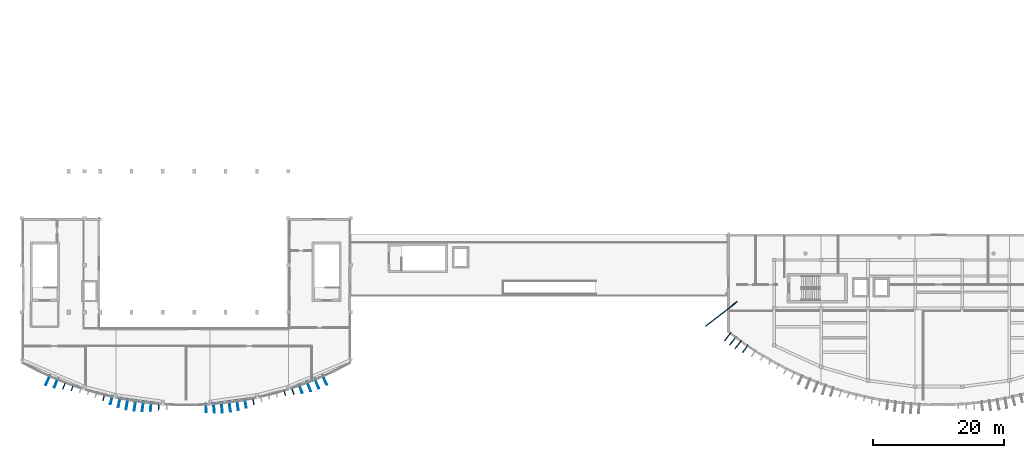
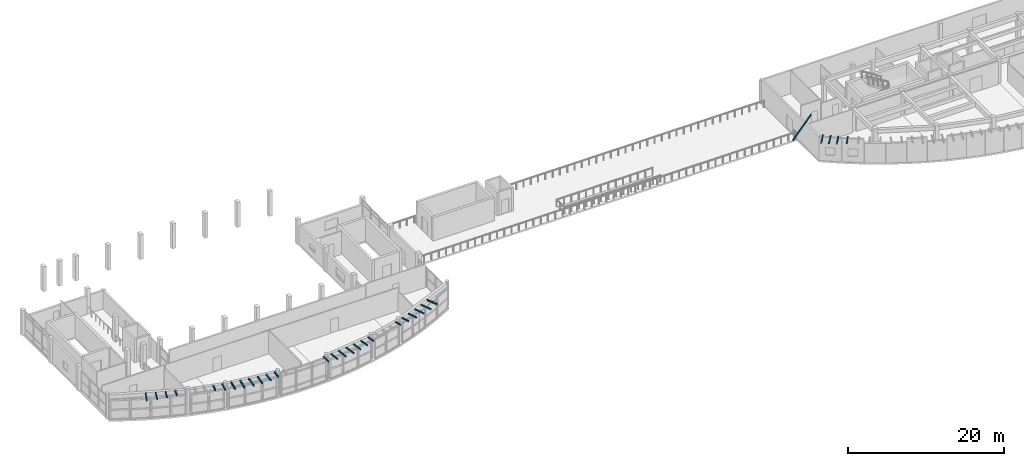
# One storey, part 25 of 32: 30 discrete accessories.
"""IFC4 building model written with IfcOpenShell, lengths in metres."""

from ifc_helpers import new_model, si_unit, direction, frame, origin, origin_2d, place, context, subcontext, project, spatial, rectangle, extrude, material, type_object, element, save


model = new_model("IFC4")

# Units and contexts
model_context = context("Model", 3, precision=1e-05, world=origin(), true_north=direction((0.0, 1.0)))
body_context = subcontext(model_context, "Body", "Model", "MODEL_VIEW")
ifc_project = project(units=[si_unit("LENGTHUNIT", "METRE"), si_unit("AREAUNIT", "SQUARE_METRE"), si_unit("VOLUMEUNIT", "CUBIC_METRE"), si_unit("PLANEANGLEUNIT", "RADIAN"), si_unit("MASSUNIT", "GRAM", prefix="KILO")], contexts=[model_context])

# Site, building, storey
site_placement = place(None, origin())
site = spatial("IfcSite", under=ifc_project, at=site_placement, CompositionType="ELEMENT")
building_placement = place(site_placement, origin())
building = spatial("IfcBuilding", under=site, at=building_placement, Name="Brisavento Harbour Community Centre", CompositionType="ELEMENT")
storey_placement = place(building_placement, frame((0.0, 0.0, 12.89990234375)))
storey = spatial("IfcBuildingStorey", under=building, at=storey_placement, Name="L03", CompositionType="ELEMENT", Elevation=12.89990234375)

# Discrete accessories
ifc_material = material(Name="Stainless steel 1.4401", Category="steel")
discrete_accessory_type = type_object("IfcDiscreteAccessoryType", Name="BRK-FIN-SS", PredefinedType="BRACKET", material=ifc_material)
discrete_accessory_1_placement = place(storey_placement, frame((3.99560546875, 3.99560546875, 3.68017578125), z_axis=(0.0, 0.0, 1.0), x_axis=(-0.415518926407, -0.909584532519, 0.0)))
element("IfcDiscreteAccessory", 1, at=discrete_accessory_1_placement, inside=storey, type_object=discrete_accessory_type, Name="Stainless-steel storm-fin bracket 004.5", PredefinedType="BRACKET", context=body_context, shape_type="SweptSolid", body=[
    extrude(rectangle(XDim=1.583251953125, YDim=0.139892578125, at=origin_2d()), origin(), (0.0, 0.0, 1.0), 0.199951171875),
])
discrete_accessory_2_placement = place(storey_placement, frame((5.248779296875, 3.549560546875, 3.68017578125), z_axis=(0.0, 0.0, 1.0), x_axis=(-0.369341311525, -0.92929381554, 0.0)))
element("IfcDiscreteAccessory", 2, at=discrete_accessory_2_placement, inside=storey, type_object=discrete_accessory_type, Name="Stainless-steel storm-fin bracket 005.5", PredefinedType="BRACKET", context=body_context, shape_type="SweptSolid", body=[
    extrude(rectangle(XDim=1.419189453125, YDim=0.139892578125, at=origin_2d()), origin(), (0.0, 0.0, 1.0), 0.199951171875),
])
discrete_accessory_3_placement = place(storey_placement, frame((6.490966796875, 3.17919921875, 3.68017578125), z_axis=(0.0, 0.0, 1.0), x_axis=(-0.369341311525, -0.92929381554, 0.0)))
element("IfcDiscreteAccessory", 3, at=discrete_accessory_3_placement, inside=storey, type_object=discrete_accessory_type, Name="Stainless-steel storm-fin bracket 006.5", PredefinedType="BRACKET", context=body_context, shape_type="SweptSolid", body=[
    extrude(rectangle(XDim=1.18994140625, YDim=0.139892578125, at=origin_2d()), origin(), (0.0, 0.0, 1.0), 0.199951171875),
])
discrete_accessory_4_placement = place(storey_placement, frame((7.74072265625, 2.836181640625, 3.68017578125), z_axis=(0.0, 0.0, 1.0), x_axis=(-0.323174264667, -0.94633947115, 0.0)))
element("IfcDiscreteAccessory", 4, at=discrete_accessory_4_placement, inside=storey, type_object=discrete_accessory_type, Name="Stainless-steel storm-fin bracket 007.5", PredefinedType="BRACKET", context=body_context, shape_type="SweptSolid", body=[
    extrude(rectangle(XDim=0.96728515625, YDim=0.139892578125, at=origin_2d()), origin(), (0.0, 0.0, 1.0), 0.199951171875),
])
discrete_accessory_5_placement = place(storey_placement, frame((12.54736328125, 1.339111328125, 3.68017578125), z_axis=(0.0, 0.0, 1.0), x_axis=(-0.230830981037, -0.972993863389, 0.0)))
element("IfcDiscreteAccessory", 5, at=discrete_accessory_5_placement, inside=storey, type_object=discrete_accessory_type, Name="Stainless-steel storm-fin bracket 011.5", PredefinedType="BRACKET", context=body_context, shape_type="SweptSolid", body=[
    extrude(rectangle(XDim=1.0556640625, YDim=0.139892578125, at=origin_2d()), origin(), (0.0, 0.0, 1.0), 0.199951171875),
])
discrete_accessory_6_placement = place(storey_placement, frame((13.721435546875, 0.945068359375, 3.68017578125), z_axis=(0.0, 0.0, 1.0), x_axis=(-0.230830981037, -0.972993863389, 0.0)))
element("IfcDiscreteAccessory", 6, at=discrete_accessory_6_placement, inside=storey, type_object=discrete_accessory_type, Name="Stainless-steel storm-fin bracket 012.5", PredefinedType="BRACKET", context=body_context, shape_type="SweptSolid", body=[
    extrude(rectangle(XDim=1.28076171875, YDim=0.139892578125, at=origin_2d()), origin(), (0.0, 0.0, 1.0), 0.199951171875),
])
discrete_accessory_7_placement = place(storey_placement, frame((14.91845703125, 0.5869140625, 3.68017578125), z_axis=(0.0, 0.0, 1.0), x_axis=(-0.184671830369, -0.982800241691, 0.0)))
element("IfcDiscreteAccessory", 7, at=discrete_accessory_7_placement, inside=storey, type_object=discrete_accessory_type, Name="Stainless-steel storm-fin bracket 013.5", PredefinedType="BRACKET", context=body_context, shape_type="SweptSolid", body=[
    extrude(rectangle(XDim=1.4833984375, YDim=0.139892578125, at=origin_2d()), origin(), (0.0, 0.0, 1.0), 0.199951171875),
])
discrete_accessory_8_placement = place(storey_placement, frame((16.10693359375, 0.30029296875, 3.68017578125), z_axis=(0.0, 0.0, 1.0), x_axis=(-0.184671830369, -0.982800241691, 0.0)))
element("IfcDiscreteAccessory", 8, at=discrete_accessory_8_placement, inside=storey, type_object=discrete_accessory_type, Name="Stainless-steel storm-fin bracket 014.5", PredefinedType="BRACKET", context=body_context, shape_type="SweptSolid", body=[
    extrude(rectangle(XDim=1.60791015625, YDim=0.139892578125, at=origin_2d()), origin(), (0.0, 0.0, 1.0), 0.199951171875),
])
discrete_accessory_9_placement = place(storey_placement, frame((17.329345703125, 0.093505859375, 3.68017578125), z_axis=(0.0, 0.0, 1.0), x_axis=(-0.138499014678, -0.990362571452, 0.0)))
element("IfcDiscreteAccessory", 9, at=discrete_accessory_9_placement, inside=storey, type_object=discrete_accessory_type, Name="Stainless-steel storm-fin bracket 015.5", PredefinedType="BRACKET", context=body_context, shape_type="SweptSolid", body=[
    extrude(rectangle(XDim=1.620849609375, YDim=0.139892578125, at=origin_2d()), origin(), (0.0, 0.0, 1.0), 0.199951171875),
])
discrete_accessory_10_placement = place(storey_placement, frame((18.536376953125, -0.0244140625, 3.68017578125), z_axis=(0.0, 0.0, 1.0), x_axis=(-0.138499014678, -0.990362571452, 0.0)))
element("IfcDiscreteAccessory", 10, at=discrete_accessory_10_placement, inside=storey, type_object=discrete_accessory_type, Name="Stainless-steel storm-fin bracket 016.5", PredefinedType="BRACKET", context=body_context, shape_type="SweptSolid", body=[
    extrude(rectangle(XDim=1.52001953125, YDim=0.139892578125, at=origin_2d()), origin(), (0.0, 0.0, 1.0), 0.199951171875),
])
discrete_accessory_11_placement = place(storey_placement, frame((19.76611328125, -0.073486328125, 3.68017578125), z_axis=(0.0, 0.0, 1.0), x_axis=(-0.092335830041, -0.99572792192, 0.0)))
element("IfcDiscreteAccessory", 11, at=discrete_accessory_11_placement, inside=storey, type_object=discrete_accessory_type, Name="Stainless-steel storm-fin bracket 017.5", PredefinedType="BRACKET", context=body_context, shape_type="SweptSolid", body=[
    extrude(rectangle(XDim=1.333740234375, YDim=0.139892578125, at=origin_2d()), origin(), (0.0, 0.0, 1.0), 0.199951171875),
])
discrete_accessory_12_placement = place(storey_placement, frame((20.976318359375, -0.074951171875, 3.68017578125), z_axis=(0.0, 0.0, 1.0), x_axis=(-0.092335830041, -0.99572792192, 0.0)))
element("IfcDiscreteAccessory", 12, at=discrete_accessory_12_placement, inside=storey, type_object=discrete_accessory_type, Name="Stainless-steel storm-fin bracket 018.5", PredefinedType="BRACKET", context=body_context, shape_type="SweptSolid", body=[
    extrude(rectangle(XDim=1.11279296875, YDim=0.139892578125, at=origin_2d()), origin(), (0.0, 0.0, 1.0), 0.199951171875),
])
discrete_accessory_13_placement = place(storey_placement, frame((28.216064453125, -0.251708984375, 3.68017578125), z_axis=(0.0, 0.0, 1.0), x_axis=(0.0461649984, -0.9989338281, 0.0)))
element("IfcDiscreteAccessory", 13, at=discrete_accessory_13_placement, inside=storey, type_object=discrete_accessory_type, Name="Stainless-steel storm-fin bracket 020.5", PredefinedType="BRACKET", context=body_context, shape_type="SweptSolid", body=[
    extrude(rectangle(XDim=1.29833984375, YDim=0.139892578125, at=origin_2d()), origin(), (0.0, 0.0, 1.0), 0.199951171875),
])
discrete_accessory_14_placement = place(storey_placement, frame((29.441162109375, -0.264404296875, 3.68017578125), z_axis=(0.0, 0.0, 1.0), x_axis=(0.092335830041, -0.99572792192, 0.0)))
element("IfcDiscreteAccessory", 14, at=discrete_accessory_14_placement, inside=storey, type_object=discrete_accessory_type, Name="Stainless-steel storm-fin bracket 021.5", PredefinedType="BRACKET", context=body_context, shape_type="SweptSolid", body=[
    extrude(rectangle(XDim=1.49365234375, YDim=0.139892578125, at=origin_2d()), origin(), (0.0, 0.0, 1.0), 0.199951171875),
])
discrete_accessory_15_placement = place(storey_placement, frame((30.646728515625, -0.211669921875, 3.68017578125), z_axis=(0.0, 0.0, 1.0), x_axis=(0.092335830041, -0.99572792192, 0.0)))
element("IfcDiscreteAccessory", 15, at=discrete_accessory_15_placement, inside=storey, type_object=discrete_accessory_type, Name="Stainless-steel storm-fin bracket 022.5", PredefinedType="BRACKET", context=body_context, shape_type="SweptSolid", body=[
    extrude(rectangle(XDim=1.611083984375, YDim=0.139892578125, at=origin_2d()), origin(), (0.0, 0.0, 1.0), 0.199951171875),
])
discrete_accessory_16_placement = place(storey_placement, frame((31.87060546875, -0.0732421875, 3.68017578125), z_axis=(0.0, 0.0, 1.0), x_axis=(0.138499014678, -0.990362571452, 0.0)))
element("IfcDiscreteAccessory", 16, at=discrete_accessory_16_placement, inside=storey, type_object=discrete_accessory_type, Name="Stainless-steel storm-fin bracket 023.5", PredefinedType="BRACKET", context=body_context, shape_type="SweptSolid", body=[
    extrude(rectangle(XDim=1.618896484375, YDim=0.139892578125, at=origin_2d()), origin(), (0.0, 0.0, 1.0), 0.199951171875),
])
discrete_accessory_17_placement = place(storey_placement, frame((33.063232421875, 0.146484375, 3.68017578125), z_axis=(0.0, 0.0, 1.0), x_axis=(0.138499014678, -0.990362571452, 0.0)))
element("IfcDiscreteAccessory", 17, at=discrete_accessory_17_placement, inside=storey, type_object=discrete_accessory_type, Name="Stainless-steel storm-fin bracket 024.5", PredefinedType="BRACKET", context=body_context, shape_type="SweptSolid", body=[
    extrude(rectangle(XDim=1.513916015625, YDim=0.139892578125, at=origin_2d()), origin(), (0.0, 0.0, 1.0), 0.199951171875),
])
discrete_accessory_18_placement = place(storey_placement, frame((34.266845703125, 0.440185546875, 3.68017578125), z_axis=(0.0, 0.0, 1.0), x_axis=(0.184671830369, -0.982800241691, 0.0)))
element("IfcDiscreteAccessory", 18, at=discrete_accessory_18_placement, inside=storey, type_object=discrete_accessory_type, Name="Stainless-steel storm-fin bracket 025.5", PredefinedType="BRACKET", context=body_context, shape_type="SweptSolid", body=[
    extrude(rectangle(XDim=1.323486328125, YDim=0.139892578125, at=origin_2d()), origin(), (0.0, 0.0, 1.0), 0.199951171875),
])
discrete_accessory_19_placement = place(storey_placement, frame((35.4462890625, 0.775634765625, 3.68017578125), z_axis=(0.0, 0.0, 1.0), x_axis=(0.184671830369, -0.982800241691, 0.0)))
element("IfcDiscreteAccessory", 19, at=discrete_accessory_19_placement, inside=storey, type_object=discrete_accessory_type, Name="Stainless-steel storm-fin bracket 026.5", PredefinedType="BRACKET", context=body_context, shape_type="SweptSolid", body=[
    extrude(rectangle(XDim=1.099853515625, YDim=0.139892578125, at=origin_2d()), origin(), (0.0, 0.0, 1.0), 0.199951171875),
])
discrete_accessory_20_placement = place(storey_placement, frame((40.244384765625, 2.06787109375, 3.68017578125), z_axis=(0.0, 0.0, 1.0), x_axis=(0.276996031628, -0.96087106235, 0.0)))
element("IfcDiscreteAccessory", 20, at=discrete_accessory_20_placement, inside=storey, type_object=discrete_accessory_type, Name="Stainless-steel storm-fin bracket 030.5", PredefinedType="BRACKET", context=body_context, shape_type="SweptSolid", body=[
    extrude(rectangle(XDim=0.921142578125, YDim=0.139892578125, at=origin_2d()), origin(), (0.0, 0.0, 1.0), 0.199951171875),
])
discrete_accessory_21_placement = place(storey_placement, frame((41.4853515625, 2.350341796875, 3.68017578125), z_axis=(0.0, 0.0, 1.0), x_axis=(0.323174264667, -0.94633947115, 0.0)))
element("IfcDiscreteAccessory", 21, at=discrete_accessory_21_placement, inside=storey, type_object=discrete_accessory_type, Name="Stainless-steel storm-fin bracket 031.5", PredefinedType="BRACKET", context=body_context, shape_type="SweptSolid", body=[
    extrude(rectangle(XDim=1.1279296875, YDim=0.139892578125, at=origin_2d()), origin(), (0.0, 0.0, 1.0), 0.199951171875),
])
discrete_accessory_22_placement = place(storey_placement, frame((42.72265625, 2.650634765625, 3.68017578125), z_axis=(0.0, 0.0, 1.0), x_axis=(0.323174264667, -0.94633947115, 0.0)))
element("IfcDiscreteAccessory", 22, at=discrete_accessory_22_placement, inside=storey, type_object=discrete_accessory_type, Name="Stainless-steel storm-fin bracket 032.5", PredefinedType="BRACKET", context=body_context, shape_type="SweptSolid", body=[
    extrude(rectangle(XDim=1.359130859375, YDim=0.139892578125, at=origin_2d()), origin(), (0.0, 0.0, 1.0), 0.199951171875),
])
discrete_accessory_23_placement = place(storey_placement, frame((43.974609375, 3.013916015625, 3.68017578125), z_axis=(0.0, 0.0, 1.0), x_axis=(0.369341311525, -0.92929381554, 0.0)))
element("IfcDiscreteAccessory", 23, at=discrete_accessory_23_placement, inside=storey, type_object=discrete_accessory_type, Name="Stainless-steel storm-fin bracket 033.5", PredefinedType="BRACKET", context=body_context, shape_type="SweptSolid", body=[
    extrude(rectangle(XDim=1.54541015625, YDim=0.139892578125, at=origin_2d()), origin(), (0.0, 0.0, 1.0), 0.199951171875),
])
discrete_accessory_24_placement = place(storey_placement, frame((45.18994140625, 3.4521484375, 3.68017578125), z_axis=(0.0, 0.0, 1.0), x_axis=(0.369341311525, -0.92929381554, 0.0)))
element("IfcDiscreteAccessory", 24, at=discrete_accessory_24_placement, inside=storey, type_object=discrete_accessory_type, Name="Stainless-steel storm-fin bracket 034.5", PredefinedType="BRACKET", context=body_context, shape_type="SweptSolid", body=[
    extrude(rectangle(XDim=1.628662109375, YDim=0.139892578125, at=origin_2d()), origin(), (0.0, 0.0, 1.0), 0.199951171875),
])
discrete_accessory_25_placement = place(storey_placement, frame((46.403564453125, 3.9970703125, 3.68017578125), z_axis=(0.0, 0.0, 1.0), x_axis=(0.415518926407, -0.909584532519, 0.0)))
element("IfcDiscreteAccessory", 25, at=discrete_accessory_25_placement, inside=storey, type_object=discrete_accessory_type, Name="Stainless-steel storm-fin bracket 035.5", PredefinedType="BRACKET", context=body_context, shape_type="SweptSolid", body=[
    extrude(rectangle(XDim=1.57958984375, YDim=0.139892578125, at=origin_2d()), origin(), (0.0, 0.0, 1.0), 0.199951171875),
])
discrete_accessory_26_placement = place(storey_placement, frame((107.130126953125, 14.1279296875, 3.68017578125), z_axis=(0.0, 0.0, 1.0), x_axis=(-0.788053732966, -0.615606460297, 0.0)))
element("IfcDiscreteAccessory", 26, at=discrete_accessory_26_placement, inside=storey, type_object=discrete_accessory_type, Name="Stainless-steel storm-fin bracket 092.5", PredefinedType="BRACKET", context=body_context, shape_type="SweptSolid", body=[
    extrude(rectangle(XDim=6.116943359375, YDim=0.139892578125, at=origin_2d()), origin(), (0.0, 0.0, 1.0), 0.199951171875),
])
discrete_accessory_27_placement = place(storey_placement, frame((108.09765625, 10.62451171875, 3.68017578125), z_axis=(0.0, 0.0, 1.0), x_axis=(-0.600252726595, -0.799810392665, 0.0)))
element("IfcDiscreteAccessory", 27, at=discrete_accessory_27_placement, inside=storey, type_object=discrete_accessory_type, Name="Stainless-steel storm-fin bracket 093.5", PredefinedType="BRACKET", context=body_context, shape_type="SweptSolid", body=[
    extrude(rectangle(XDim=1.607666015625, YDim=0.139892578125, at=origin_2d()), origin(), (0.0, 0.0, 1.0), 0.199951171875),
])
discrete_accessory_28_placement = place(storey_placement, frame((108.8916015625, 10.01611328125, 3.68017578125), z_axis=(0.0, 0.0, 1.0), x_axis=(-0.600252726595, -0.799810392665, 0.0)))
element("IfcDiscreteAccessory", 28, at=discrete_accessory_28_placement, inside=storey, type_object=discrete_accessory_type, Name="Stainless-steel storm-fin bracket 094.5", PredefinedType="BRACKET", context=body_context, shape_type="SweptSolid", body=[
    extrude(rectangle(XDim=1.62744140625, YDim=0.139892578125, at=origin_2d()), origin(), (0.0, 0.0, 1.0), 0.199951171875),
])
discrete_accessory_29_placement = place(storey_placement, frame((109.70947265625, 9.439453125, 3.68017578125), z_axis=(0.0, 0.0, 1.0), x_axis=(-0.600252726595, -0.799810392665, 0.0)))
element("IfcDiscreteAccessory", 29, at=discrete_accessory_29_placement, inside=storey, type_object=discrete_accessory_type, Name="Stainless-steel storm-fin bracket 095.5", PredefinedType="BRACKET", context=body_context, shape_type="SweptSolid", body=[
    extrude(rectangle(XDim=1.568115234375, YDim=0.139892578125, at=origin_2d()), origin(), (0.0, 0.0, 1.0), 0.199951171875),
])
discrete_accessory_30_placement = place(storey_placement, frame((110.77685546875, 8.7919921875, 3.68017578125), z_axis=(0.0, 0.0, 1.0), x_axis=(-0.554060082852, -0.832476681109, 0.0)))
element("IfcDiscreteAccessory", 30, at=discrete_accessory_30_placement, inside=storey, type_object=discrete_accessory_type, Name="Stainless-steel storm-fin bracket 096.5", PredefinedType="BRACKET", context=body_context, shape_type="SweptSolid", body=[
    extrude(rectangle(XDim=1.405517578125, YDim=0.139892578125, at=origin_2d()), origin(), (0.0, 0.0, 1.0), 0.199951171875),
])

save(model, "model.ifc")
